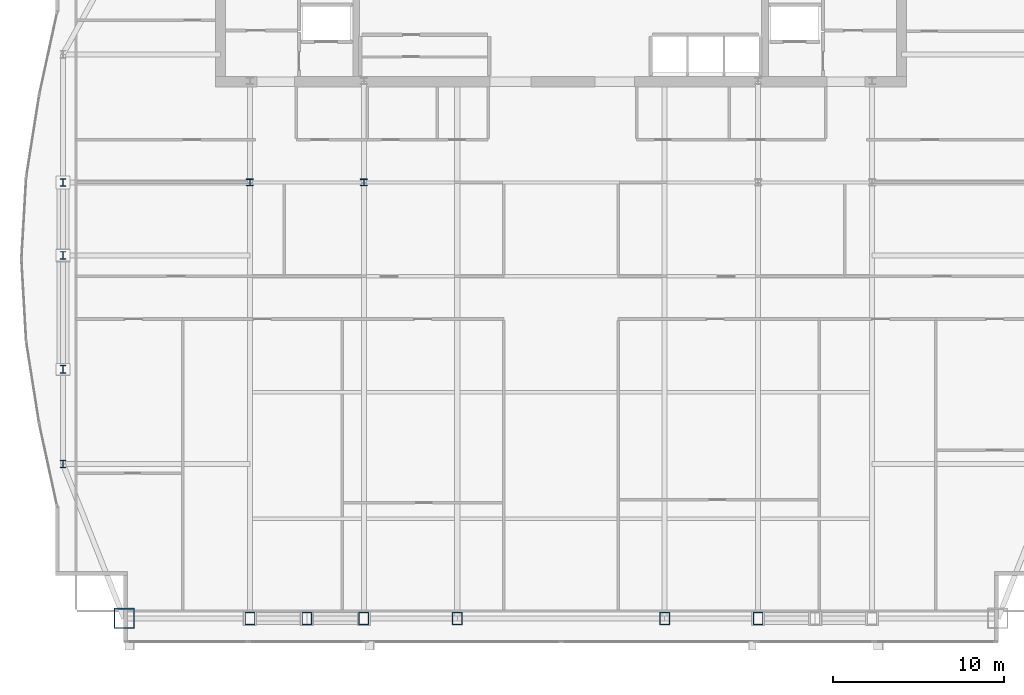
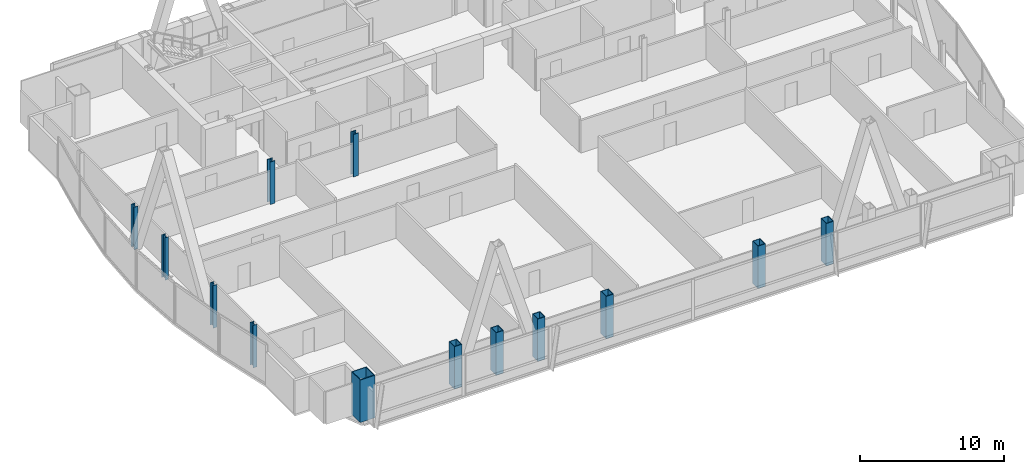
# One storey, part 1 of 33: 13 columns.
"""IFC4 building model written with IfcOpenShell, lengths in metres."""

from ifc_helpers import new_model, si_unit, direction, frame, origin, origin_2d, place, context, subcontext, project, spatial, hollow_rectangle, i_section, extrude, material, material_profile, profile_set, type_object, element, save


model = new_model("IFC4")

# Units and contexts
model_context = context("Model", 3, precision=1e-05, world=origin(), true_north=direction((0.0, 1.0)))
body_context = subcontext(model_context, "Body", "Model", "MODEL_VIEW")
ifc_project = project(units=[si_unit("LENGTHUNIT", "METRE"), si_unit("AREAUNIT", "SQUARE_METRE"), si_unit("VOLUMEUNIT", "CUBIC_METRE"), si_unit("PLANEANGLEUNIT", "RADIAN"), si_unit("MASSUNIT", "GRAM", prefix="KILO")], contexts=[model_context])

# Site, building, storey
site_placement = place(None, origin())
site = spatial("IfcSite", under=ifc_project, at=site_placement, CompositionType="ELEMENT")
building_placement = place(site_placement, origin())
building = spatial("IfcBuilding", under=site, at=building_placement, Name="Khoronbel Lancet Exchange", CompositionType="ELEMENT")
storey_placement = place(building_placement, frame((0.0, 0.0, 210.199951171875)))
storey = spatial("IfcBuildingStorey", under=building, at=storey_placement, Name="L53", CompositionType="ELEMENT", Elevation=210.199951171875)

# Columns
ifc_material_1 = material(Name="Steel S460", Category="steel")
ifc_material_profile_1 = material_profile(ifc_material_1, hollow_rectangle(XDim=0.60009765625, YDim=0.75, WallThickness=0.044921875, at=origin_2d()), Name="BOX 750x600x45")
ifc_profile_set_1 = profile_set([ifc_material_profile_1], Name="Steel S460")
column_type_1 = type_object("IfcColumnType", Name="COL-EC3", PredefinedType="COLUMN", material=ifc_profile_set_1)
for number, where, z_axis, x_axis, name in (
    (1, (18.22509765625, 10.14990234375, 0.0), (0.0, 0.0, 1.0), (1.0, 0.0, 0.0), "Structural column SC-W1 L53"),
    (2, (21.5625, 10.14990234375, 0.0), (0.0, 0.0, 1.0), (1.0, 0.0, 0.0), "Structural column SC-WM L53"),
    (3, (24.89990234375, 10.14990234375, 0.0), (0.0, 0.0, 1.0), (1.0, 0.0, 0.0), "Structural column SC-W2 L53"),
    (4, (30.375, 10.14990234375, 0.0), (0.0, 0.0, 1.0), (1.0, 0.0, 0.0), "Structural column SC-C1 L53"),
    (5, (42.52490234375, 10.14990234375, 0.0), (0.0, 0.0, 1.0), (1.0, 0.0, 0.0), "Structural column SC-C2 L53"),
    (6, (48.0, 10.14990234375, 0.0), (0.0, 0.0, 1.0), (1.0, 0.0, 0.0), "Structural column SC-E1 L53"),
):
    element("IfcColumn", number, at=place(storey_placement, frame(where, z_axis=z_axis, x_axis=x_axis)), inside=storey, type_object=column_type_1, Name=name, PredefinedType="COLUMN", context=body_context, shape_type="SweptSolid", body=[
        extrude(hollow_rectangle(XDim=0.60009765625, YDim=0.75, WallThickness=0.044921875, at=origin_2d()), origin(), (0.0, 0.0, 1.0), 3.60009765625),
    ])
ifc_material_2 = material(Name="Steel S355", Category="steel")
ifc_material_profile_2 = material_profile(ifc_material_2, i_section(OverallWidth=0.406005859375, OverallDepth=0.416015625, WebThickness=0.02978515625, FlangeThickness=0.048095703125, at=origin_2d()), Name="HD 400x382")
ifc_profile_set_2 = profile_set([ifc_material_profile_2], Name="Steel S355")
column_type_2 = type_object("IfcColumnType", Name="COL-IC3", PredefinedType="COLUMN", material=ifc_profile_set_2)
for number, where, z_axis, x_axis, name in (
    (7, (18.22509765625, 35.699951171875, 0.0), (0.0, 0.0, 1.0), (1.0, 0.0, 0.0), "Spine gravity column TC1 L53"),
    (8, (24.89990234375, 35.699951171875, 0.0), (0.0, 0.0, 1.0), (1.0, 0.0, 0.0), "Spine gravity column TC2 L53"),
):
    element("IfcColumn", number, at=place(storey_placement, frame(where, z_axis=z_axis, x_axis=x_axis)), inside=storey, type_object=column_type_2, Name=name, PredefinedType="COLUMN", context=body_context, shape_type="SweptSolid", body=[
        extrude(i_section(OverallWidth=0.406005859375, OverallDepth=0.416015625, WebThickness=0.02978515625, FlangeThickness=0.048095703125, at=origin_2d()), origin(), (0.0, 0.0, 1.0), 3.60009765625),
    ])
ifc_material_profile_3 = material_profile(ifc_material_2, i_section(OverallWidth=0.300048828125, OverallDepth=0.449951171875, WebThickness=0.013916015625, FlangeThickness=0.02587890625, at=origin_2d()), Name="HEB 450")
ifc_profile_set_3 = profile_set([ifc_material_profile_3], Name="Steel S355")
column_type_3 = type_object("IfcColumnType", Name="COL-LC2", PredefinedType="COLUMN", material=ifc_profile_set_3)
for number, where, z_axis, x_axis, name in (
    (9, (7.27001953125, 19.199951171875, 0.0), (0.0, 0.0, 1.0), (1.0, 0.0, 0.0), "Structural column WC-1 L53"),
    (10, (7.27001953125, 24.75, 0.0), (0.0, 0.0, 1.0), (1.0, 0.0, 0.0), "Structural column WC-2 L53"),
    (11, (7.27001953125, 31.425048828125, 0.0), (0.0, 0.0, 1.0), (1.0, 0.0, 0.0), "Structural column WC-M L53"),
    (12, (7.27001953125, 35.699951171875, 0.0), (0.0, 0.0, 1.0), (1.0, 0.0, 0.0), "Structural column WC-3 L53"),
):
    element("IfcColumn", number, at=place(storey_placement, frame(where, z_axis=z_axis, x_axis=x_axis)), inside=storey, type_object=column_type_3, Name=name, PredefinedType="COLUMN", context=body_context, shape_type="SweptSolid", body=[
        extrude(i_section(OverallWidth=0.300048828125, OverallDepth=0.449951171875, WebThickness=0.013916015625, FlangeThickness=0.02587890625, at=origin_2d()), origin(), (0.0, 0.0, 1.0), 3.60009765625),
    ])
ifc_material_profile_4 = material_profile(ifc_material_1, hollow_rectangle(XDim=1.199951171875, YDim=1.199951171875, WallThickness=0.06005859375, at=origin_2d()), Name="BOX 1200x1200x60")
ifc_profile_set_4 = profile_set([ifc_material_profile_4], Name="Steel S460")
column_type_4 = type_object("IfcColumnType", Name="COL-MC5", PredefinedType="COLUMN", material=ifc_profile_set_4)
column_placement = place(storey_placement, frame((10.85009765625, 10.14990234375, 0.0), z_axis=(0.0, 0.0, 1.0), x_axis=(1.0, 0.0, 0.0)))
element("IfcColumn", 13, at=column_placement, inside=storey, type_object=column_type_4, Name="Structural column MC-SW L53", PredefinedType="COLUMN", context=body_context, shape_type="SweptSolid", body=[
    extrude(hollow_rectangle(XDim=1.199951171875, YDim=1.199951171875, WallThickness=0.06005859375, at=origin_2d()), origin(), (0.0, 0.0, 1.0), 3.60009765625),
])

save(model, "model.ifc")
